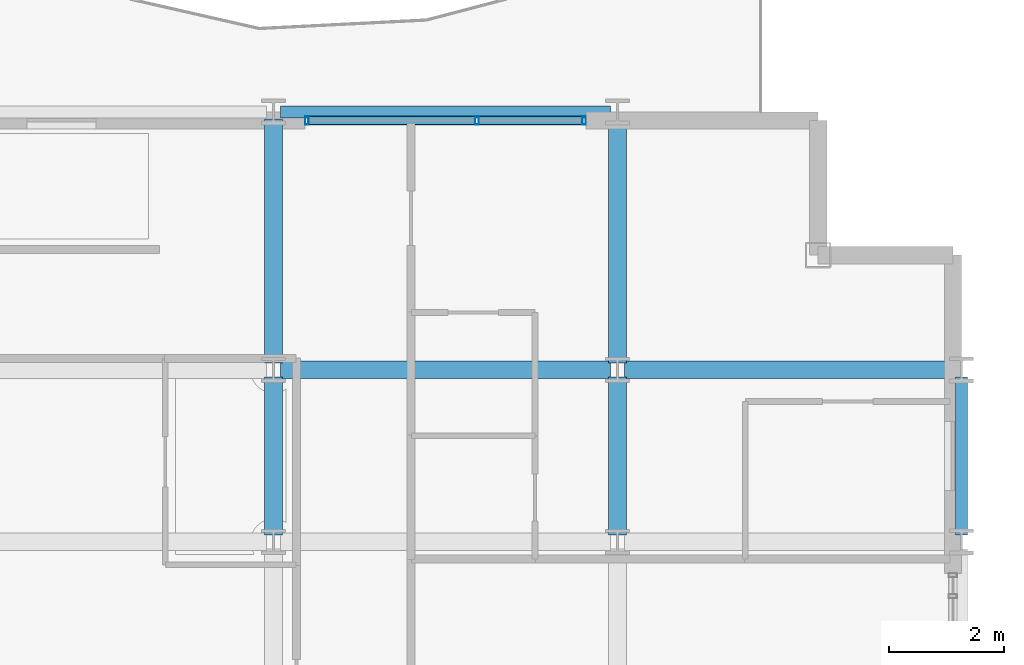
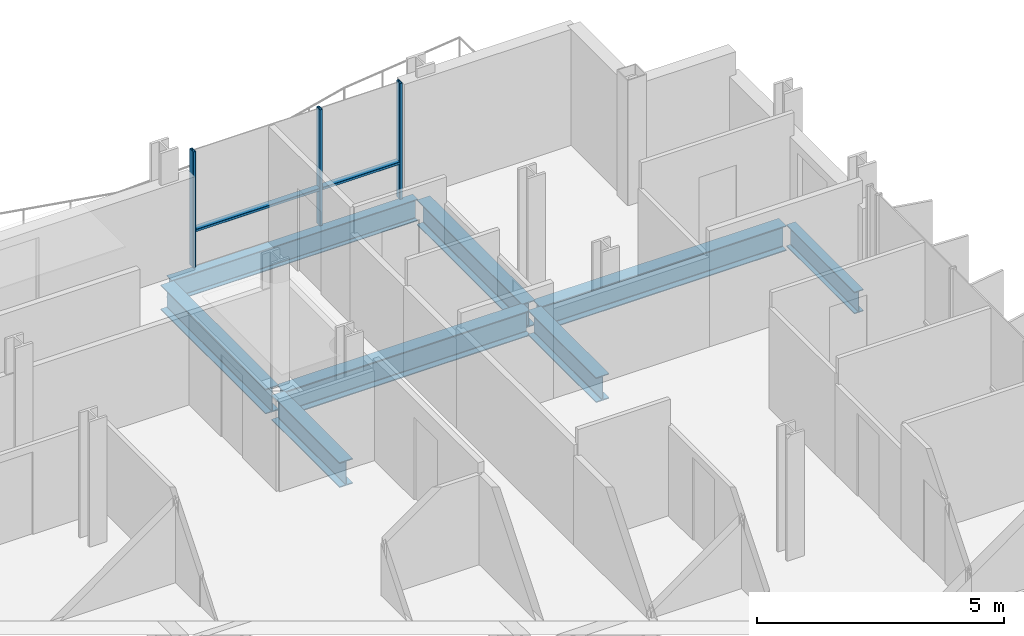
# One storey, part 20 of 38: 8 beams, 5 members, 1 element without a shape of its own.
"""IFC4 building model written with IfcOpenShell, lengths in metres."""

from ifc_helpers import new_model, si_unit, direction, frame, origin, origin_2d, place, context, subcontext, project, spatial, hollow_rectangle, i_section, extrude, material, layer, layer_set, material_profile, profile_set, type_object, element, aggregate, save


model = new_model("IFC4")

# Units and contexts
model_context = context("Model", 3, precision=1e-05, world=origin(), true_north=direction((0.0, 1.0)))
body_context = subcontext(model_context, "Body", "Model", "MODEL_VIEW")
ifc_project = project(units=[si_unit("LENGTHUNIT", "METRE"), si_unit("AREAUNIT", "SQUARE_METRE"), si_unit("VOLUMEUNIT", "CUBIC_METRE"), si_unit("PLANEANGLEUNIT", "RADIAN"), si_unit("MASSUNIT", "GRAM", prefix="KILO")], contexts=[model_context])

# Site, building, storey
site_placement = place(None, origin())
site = spatial("IfcSite", under=ifc_project, at=site_placement, CompositionType="ELEMENT")
building_placement = place(site_placement, origin())
building = spatial("IfcBuilding", under=site, at=building_placement, Name="Brevholm Reach", CompositionType="ELEMENT")
storey_placement = place(building_placement, frame((0.0, 0.0, 71.39990234375)))
storey = spatial("IfcBuildingStorey", under=building, at=storey_placement, Name="L20", CompositionType="ELEMENT", Elevation=71.39990234375)

# Beams
ifc_material_1 = material(Name="Structural Steel S355J2", Category="steel")
ifc_material_profile_1 = material_profile(ifc_material_1, i_section(OverallWidth=0.210693359375, OverallDepth=0.53955078125, WebThickness=0.01171875, FlangeThickness=0.018798828125, FilletRadius=0.0126953125, at=origin_2d()), Name="UKB 533x210x109")
ifc_profile_set_1 = profile_set([ifc_material_profile_1], Name="Structural Steel S355J2")
beam_type_1 = type_object("IfcBeamType", Name="BM-SP539", PredefinedType="SPANDREL", material=ifc_profile_set_1)
beam_1_placement = place(storey_placement, frame((48.1201171875, 31.0, -0.499755859375), z_axis=(1.0, 0.0, 0.0), x_axis=(0.0, 1.0, 0.0)))
element("IfcBeam", 1, at=beam_1_placement, inside=storey, type_object=beam_type_1, Name="L20 SP-01B Framing Beam", PredefinedType="SPANDREL", context=body_context, shape_type="SweptSolid", body=[
    extrude(i_section(OverallWidth=0.210693359375, OverallDepth=0.53955078125, WebThickness=0.01171875, FlangeThickness=0.018798828125, FilletRadius=0.0126953125, at=origin_2d()), origin(), (0.0, 0.0, 1.0), 5.759765625),
])
beam_2_placement = place(storey_placement, frame((60.0, 23.6201171875, -0.499755859375), z_axis=(0.0, 1.0, 0.0), x_axis=(-1.0, 0.0, 0.0)))
element("IfcBeam", 2, at=beam_2_placement, inside=storey, type_object=beam_type_1, Name="L20 SP-01B Framing Beam", PredefinedType="SPANDREL", context=body_context, shape_type="SweptSolid", body=[
    extrude(i_section(OverallWidth=0.210693359375, OverallDepth=0.53955078125, WebThickness=0.01171875, FlangeThickness=0.018798828125, FilletRadius=0.0126953125, at=origin_2d()), origin(), (0.0, 0.0, 1.0), 2.759765625),
])
ifc_material_2 = material(Name="Structural Steel S355J2", Category="steel")
ifc_material_profile_2 = material_profile(ifc_material_2, i_section(OverallWidth=0.30712890625, OverallDepth=0.6201171875, WebThickness=0.01416015625, FlangeThickness=0.023681640625, FilletRadius=0.0166015625, at=origin_2d()), Name="UKB 610x305x179")
ifc_profile_set_2 = profile_set([ifc_material_profile_2], Name="Structural Steel S355J2")
beam_type_2 = type_object("IfcBeamType", Name="BM-UKB610H", PredefinedType="USERDEFINED", material=ifc_profile_set_2)
for number, where, z_axis, x_axis, name in (
    (3, (48.1201171875, 26.5, -0.5400390625), (1.0, 0.0, 0.0), (0.0, 1.0, 0.0), "L20 G-06 Framing Beam"),
    (4, (54.1201171875, 26.5, -0.5400390625), (1.0, 0.0, 0.0), (0.0, 1.0, 0.0), "L20 G-06 Framing Beam"),
):
    element("IfcBeam", number, at=place(storey_placement, frame(where, z_axis=z_axis, x_axis=x_axis)), inside=storey, type_object=beam_type_2, Name=name, ObjectType="GIRDER", PredefinedType="USERDEFINED", context=body_context, shape_type="SweptSolid", body=[
        extrude(i_section(OverallWidth=0.30712890625, OverallDepth=0.6201171875, WebThickness=0.01416015625, FlangeThickness=0.023681640625, FilletRadius=0.0166015625, at=origin_2d()), origin(), (0.0, 0.0, 1.0), 5.759765625),
    ])
beam_3_placement = place(storey_placement, frame((48.0, 23.6201171875, -0.5400390625), z_axis=(0.0, 1.0, 0.0), x_axis=(-1.0, 0.0, 0.0)))
element("IfcBeam", 5, at=beam_3_placement, inside=storey, type_object=beam_type_2, Name="L20 G-06 Framing Beam", ObjectType="GIRDER", PredefinedType="USERDEFINED", context=body_context, shape_type="SweptSolid", body=[
    extrude(i_section(OverallWidth=0.30712890625, OverallDepth=0.6201171875, WebThickness=0.01416015625, FlangeThickness=0.023681640625, FilletRadius=0.0166015625, at=origin_2d()), origin(), (0.0, 0.0, 1.0), 2.759765625),
])
beam_4_placement = place(storey_placement, frame((48.0, 26.6201171875, -0.5400390625), z_axis=(0.0, 1.0, 0.0), x_axis=(-1.0, 0.0, 0.0)))
element("IfcBeam", 6, at=beam_4_placement, inside=storey, type_object=beam_type_2, Name="L20 G-06 Framing Beam", ObjectType="GIRDER", PredefinedType="USERDEFINED", context=body_context, shape_type="SweptSolid", body=[
    extrude(i_section(OverallWidth=0.30712890625, OverallDepth=0.6201171875, WebThickness=0.01416015625, FlangeThickness=0.023681640625, FilletRadius=0.0166015625, at=origin_2d()), origin(), (0.0, 0.0, 1.0), 4.259765625),
])
beam_5_placement = place(storey_placement, frame((54.0, 23.6201171875, -0.5400390625), z_axis=(0.0, 1.0, 0.0), x_axis=(-1.0, 0.0, 0.0)))
element("IfcBeam", 7, at=beam_5_placement, inside=storey, type_object=beam_type_2, Name="L20 G-06 Framing Beam", ObjectType="GIRDER", PredefinedType="USERDEFINED", context=body_context, shape_type="SweptSolid", body=[
    extrude(i_section(OverallWidth=0.30712890625, OverallDepth=0.6201171875, WebThickness=0.01416015625, FlangeThickness=0.023681640625, FilletRadius=0.0166015625, at=origin_2d()), origin(), (0.0, 0.0, 1.0), 2.759765625),
])
beam_6_placement = place(storey_placement, frame((54.0, 26.6201171875, -0.5400390625), z_axis=(0.0, 1.0, 0.0), x_axis=(-1.0, 0.0, 0.0)))
element("IfcBeam", 8, at=beam_6_placement, inside=storey, type_object=beam_type_2, Name="L20 G-06 Framing Beam", ObjectType="GIRDER", PredefinedType="USERDEFINED", context=body_context, shape_type="SweptSolid", body=[
    extrude(i_section(OverallWidth=0.30712890625, OverallDepth=0.6201171875, WebThickness=0.01416015625, FlangeThickness=0.023681640625, FilletRadius=0.0166015625, at=origin_2d()), origin(), (0.0, 0.0, 1.0), 4.259765625),
])

# Curtain wall, members
ifc_material_3 = material(Name="Dark Anodised Aluminium 6063-T6 and Solar-Control Glass", Category="aluminium")
ifc_layer = layer(ifc_material_3, 0.14990234375)
ifc_layer_set = layer_set([ifc_layer], Name="Dark Anodised Aluminium 6063-T6 and Solar-Control Glass")
curtain_wall_type = type_object("IfcCurtainWallType", Name="CW-01", PredefinedType="NOTDEFINED", material=ifc_layer_set)
curtain_wall_placement = place(storey_placement, origin())
curtain_wall = element("IfcCurtainWall", 9, at=curtain_wall_placement, inside=storey, type_object=curtain_wall_type, Name="L20 Curtain Wall CW-01", PredefinedType="NOTDEFINED")
ifc_material_4 = material(Name="Dark Anodised Aluminium 6063-T6", Category="aluminium")
ifc_material_profile_3 = material_profile(ifc_material_4, hollow_rectangle(XDim=0.06494140625, YDim=0.14990234375, WallThickness=0.0048828125, InnerFilletRadius=0.0048828125, OuterFilletRadius=0.010009765625, at=origin_2d()), Name="RHS 150x65x5")
ifc_profile_set_3 = profile_set([ifc_material_profile_3], Name="Dark Anodised Aluminium 6063-T6")
member_type_1 = type_object("IfcMemberType", Name="CWM-150", PredefinedType="MULLION", material=ifc_profile_set_3)
member_1_placement = place(storey_placement, frame((48.58251953125, 30.85009765625, 0.0), z_axis=(0.0, 0.0, 1.0), x_axis=(1.0, 0.0, 0.0)))
member_1 = element("IfcMember", 10, at=member_1_placement, type_object=member_type_1, Name="CM-150 Mullion 1", PredefinedType="MULLION", context=body_context, shape_type="SweptSolid", body=[
    extrude(hollow_rectangle(XDim=0.06494140625, YDim=0.14990234375, WallThickness=0.0048828125, InnerFilletRadius=0.0048828125, OuterFilletRadius=0.010009765625, at=origin_2d()), origin(), (0.0, 0.0, 1.0), 2.8701171875),
])
member_2_placement = place(storey_placement, frame((51.550048828125, 30.85009765625, 0.0), z_axis=(0.0, 0.0, 1.0), x_axis=(1.0, 0.0, 0.0)))
member_2 = element("IfcMember", 11, at=member_2_placement, type_object=member_type_1, Name="CM-150 Mullion 2", PredefinedType="MULLION", context=body_context, shape_type="SweptSolid", body=[
    extrude(hollow_rectangle(XDim=0.06494140625, YDim=0.14990234375, WallThickness=0.0048828125, InnerFilletRadius=0.0048828125, OuterFilletRadius=0.010009765625, at=origin_2d()), origin(), (0.0, 0.0, 1.0), 2.8701171875),
])
member_3_placement = place(storey_placement, frame((53.41748046875, 30.85009765625, 0.0), z_axis=(0.0, 0.0, 1.0), x_axis=(1.0, 0.0, 0.0)))
member_3 = element("IfcMember", 12, at=member_3_placement, type_object=member_type_1, Name="CM-150 Mullion 3", PredefinedType="MULLION", context=body_context, shape_type="SweptSolid", body=[
    extrude(hollow_rectangle(XDim=0.06494140625, YDim=0.14990234375, WallThickness=0.0048828125, InnerFilletRadius=0.0048828125, OuterFilletRadius=0.010009765625, at=origin_2d()), origin(), (0.0, 0.0, 1.0), 2.8701171875),
])
ifc_material_5 = material(Name="Dark Anodised Aluminium 6063-T6", Category="aluminium")
ifc_material_profile_4 = material_profile(ifc_material_5, hollow_rectangle(XDim=0.06494140625, YDim=0.14990234375, WallThickness=0.0048828125, InnerFilletRadius=0.0048828125, OuterFilletRadius=0.010009765625, at=origin_2d()), Name="RHS 150x65x5")
ifc_profile_set_4 = profile_set([ifc_material_profile_4], Name="Dark Anodised Aluminium 6063-T6")
member_type_2 = type_object("IfcMemberType", Name="CWT-150", PredefinedType="NOTDEFINED", material=ifc_profile_set_4)
member_4_placement = place(storey_placement, frame((48.614990234375, 30.85009765625, 0.900146484375), z_axis=(1.0, 0.0, 0.0), x_axis=(0.0, 0.0, 1.0)))
member_4 = element("IfcMember", 13, at=member_4_placement, type_object=member_type_2, Name="CT-150 Transom 1.1", ObjectType="TRANSOM", PredefinedType="USERDEFINED", context=body_context, shape_type="SweptSolid", body=[
    extrude(hollow_rectangle(XDim=0.06494140625, YDim=0.14990234375, WallThickness=0.0048828125, InnerFilletRadius=0.0048828125, OuterFilletRadius=0.010009765625, at=origin_2d()), origin(), (0.0, 0.0, 1.0), 2.902587890625),
])
member_5_placement = place(storey_placement, frame((51.58251953125, 30.85009765625, 0.900146484375), z_axis=(1.0, 0.0, 0.0), x_axis=(0.0, 0.0, 1.0)))
member_5 = element("IfcMember", 14, at=member_5_placement, type_object=member_type_2, Name="CT-150 Transom 2.1", ObjectType="TRANSOM", PredefinedType="USERDEFINED", context=body_context, shape_type="SweptSolid", body=[
    extrude(hollow_rectangle(XDim=0.06494140625, YDim=0.14990234375, WallThickness=0.0048828125, InnerFilletRadius=0.0048828125, OuterFilletRadius=0.010009765625, at=origin_2d()), origin(), (0.0, 0.0, 1.0), 1.802490234375),
])
aggregate(curtain_wall, [member_1, member_2, member_3, member_4, member_5])

save(model, "model.ifc")
